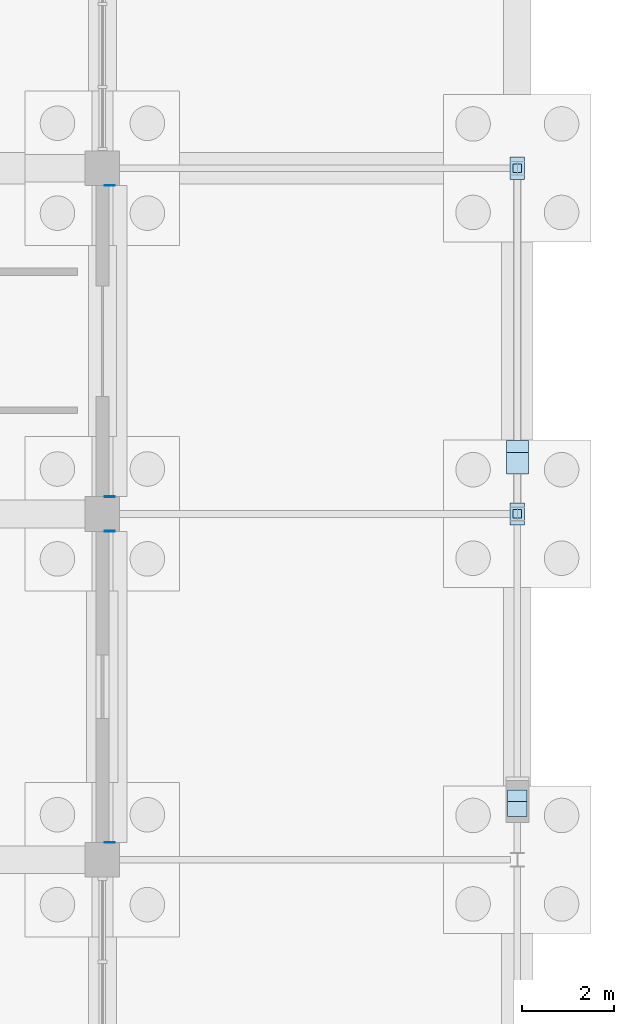
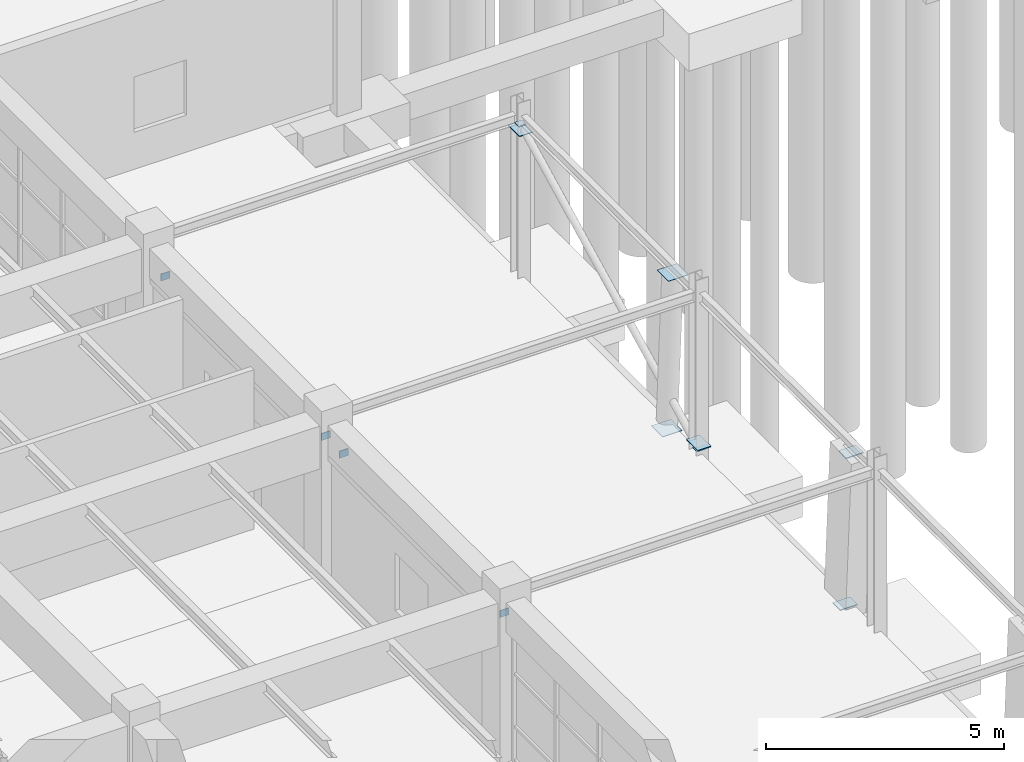
# One storey, part 55 of 93: 12 plates.
"""IFC4 building model written with IfcOpenShell, lengths in metres."""

from ifc_helpers import new_model, si_unit, direction, frame, origin, origin_2d, place, context, subcontext, project, spatial, rectangle, extrude, material, layer, layer_set, type_object, element, save


model = new_model("IFC4")

# Units and contexts
model_context = context("Model", 3, precision=1e-05, world=origin(), true_north=direction((0.0, 1.0)))
body_context = subcontext(model_context, "Body", "Model", "MODEL_VIEW")
ifc_project = project(units=[si_unit("LENGTHUNIT", "METRE"), si_unit("AREAUNIT", "SQUARE_METRE"), si_unit("VOLUMEUNIT", "CUBIC_METRE"), si_unit("PLANEANGLEUNIT", "RADIAN"), si_unit("MASSUNIT", "GRAM", prefix="KILO")], contexts=[model_context])

# Site, building, storey
site_placement = place(None, origin())
site = spatial("IfcSite", under=ifc_project, at=site_placement, CompositionType="ELEMENT")
building_placement = place(site_placement, origin())
building = spatial("IfcBuilding", under=site, at=building_placement, Name="Marnridge Secondary College", CompositionType="ELEMENT")
storey_placement = place(building_placement, origin())
storey = spatial("IfcBuildingStorey", under=building, at=storey_placement, Name="L00", CompositionType="ELEMENT", Elevation=0.0)

# Plates
ifc_material_1 = material(Name="Structural steel plate Grade 350 (AS/NZS 3678, fy = 350 MPa <=12mm, 340 MPa 12-20mm, 330 MPa 20-50mm)", Category="steel")
ifc_layer_1 = layer(ifc_material_1, 0.011962890625)
ifc_layer_set_1 = layer_set([ifc_layer_1], Name="PT-CAP-EXT")
plate_type_1 = type_object("IfcPlateType", Name="PT-CAP-EXT", PredefinedType="SHEET", material=ifc_layer_set_1)
for number, where, z_axis, x_axis, name in (
    (1, (45.0, 23.849853515625, -0.25390625), (0.0, 0.0, 1.0), (0.0, -1.0, 0.0), "Tube end cap CP-0647-EC1"),
    (2, (45.0, 23.60009765625, 3.89404296875), (0.0, 0.0, 1.0), (0.0, -1.0, 0.0), "Tube end cap CP-0647-EC2"),
):
    element("IfcPlate", number, at=place(storey_placement, frame(where, z_axis=z_axis, x_axis=x_axis)), inside=storey, type_object=plate_type_1, Name=name, PredefinedType="SHEET", context=body_context, shape_type="SweptSolid", body=[
        extrude(rectangle(XDim=0.47705078125, YDim=0.47705078125, at=origin_2d()), origin(), (0.0, 0.0, 1.0), 0.011962890625),
    ])
for number, where, z_axis, x_axis, name in (
    (3, (45.0, 22.501708984375, 0.044921875), (0.0, 0.0, 1.0), (0.0, 1.0, 0.0), "Tube end cap BR-003-EC1"),
    (4, (45.0, 29.998291015625, 3.84326171875), (0.0, 0.0, 1.0), (0.0, 1.0, 0.0), "Tube end cap BR-003-EC2"),
):
    element("IfcPlate", number, at=place(storey_placement, frame(where, z_axis=z_axis, x_axis=x_axis)), inside=storey, type_object=plate_type_1, Name=name, PredefinedType="SHEET", context=body_context, shape_type="SweptSolid", body=[
        extrude(rectangle(XDim=0.18798828125, YDim=0.18798828125, at=origin_2d()), origin(), (0.0, 0.0, 1.0), 0.011962890625),
    ])
ifc_material_2 = material(Name="Structural steel plate Grade 350 (AS/NZS 3678, fy = 350 MPa <=12mm, 340 MPa 12-20mm, 330 MPa 20-50mm)", Category="steel")
ifc_layer_2 = layer(ifc_material_2, 0.02392578125)
ifc_layer_set_2 = layer_set([ifc_layer_2], Name="PT-GUS-GSN2")
plate_type_2 = type_object("IfcPlateType", Name="PT-GUS-GSN2", PredefinedType="USERDEFINED", material=ifc_layer_set_2)
for number, where, z_axis, x_axis, name in (
    (5, (45.0, 16.35009765625, -0.221923828125), (0.0, 0.0, 1.0), (1.0, 0.0, 0.0), "Pilaster bearing plate CP-0646-BP1"),
    (6, (45.0, 16.10009765625, 3.830078125), (0.0, 0.0, 1.0), (1.0, 0.0, 0.0), "Pilaster bearing plate CP-0646-BP2"),
):
    element("IfcPlate", number, at=place(storey_placement, frame(where, z_axis=z_axis, x_axis=x_axis)), inside=storey, type_object=plate_type_2, Name=name, ObjectType="GUSSET PLATE", PredefinedType="USERDEFINED", context=body_context, shape_type="SweptSolid", body=[
        extrude(rectangle(XDim=0.419921875, YDim=0.320068359375, at=origin_2d()), origin(), (0.0, 0.0, 1.0), 0.02392578125),
    ])
for number, where, z_axis, x_axis, name in (
    (7, (45.0, 22.5, 0.177978515625), (0.0, 0.0, 1.0), (0.0, 1.0, 0.0), "Braced-frame gusset plate GP-055"),
    (8, (45.0, 30.0, 3.697998046875), (0.0, 0.0, 1.0), (0.0, 1.0, 0.0), "Braced-frame gusset plate GP-056"),
):
    element("IfcPlate", number, at=place(storey_placement, frame(where, z_axis=z_axis, x_axis=x_axis)), inside=storey, type_object=plate_type_2, Name=name, ObjectType="GUSSET PLATE", PredefinedType="USERDEFINED", context=body_context, shape_type="SweptSolid", body=[
        extrude(rectangle(XDim=0.47998046875, YDim=0.320068359375, at=origin_2d()), origin(), (0.0, 0.0, 1.0), 0.02392578125),
    ])
for number, where, z_axis, x_axis, name in (
    (9, (36.159912109375, 29.625, 3.162109375), (0.0, 0.0, 1.0), (1.0, 0.0, 0.0), "Solar fin end bracket plate SFN-0021-BP1"),
    (10, (36.159912109375, 22.875, 3.162109375), (0.0, 0.0, 1.0), (1.0, 0.0, 0.0), "Solar fin end bracket plate SFN-0021-BP2"),
    (11, (36.159912109375, 22.125, 3.162109375), (0.0, 0.0, 1.0), (1.0, 0.0, 0.0), "Solar fin end bracket plate SFN-0022-BP1"),
    (12, (36.159912109375, 15.375, 3.162109375), (0.0, 0.0, 1.0), (1.0, 0.0, 0.0), "Solar fin end bracket plate SFN-0022-BP2"),
):
    element("IfcPlate", number, at=place(storey_placement, frame(where, z_axis=z_axis, x_axis=x_axis)), inside=storey, type_object=plate_type_2, Name=name, ObjectType="GUSSET PLATE", PredefinedType="USERDEFINED", context=body_context, shape_type="SweptSolid", body=[
        extrude(rectangle(XDim=0.219970703125, YDim=0.01806640625, at=origin_2d()), origin(), (0.0, 0.0, 1.0), 0.179931640625),
    ])

save(model, "model.ifc")
